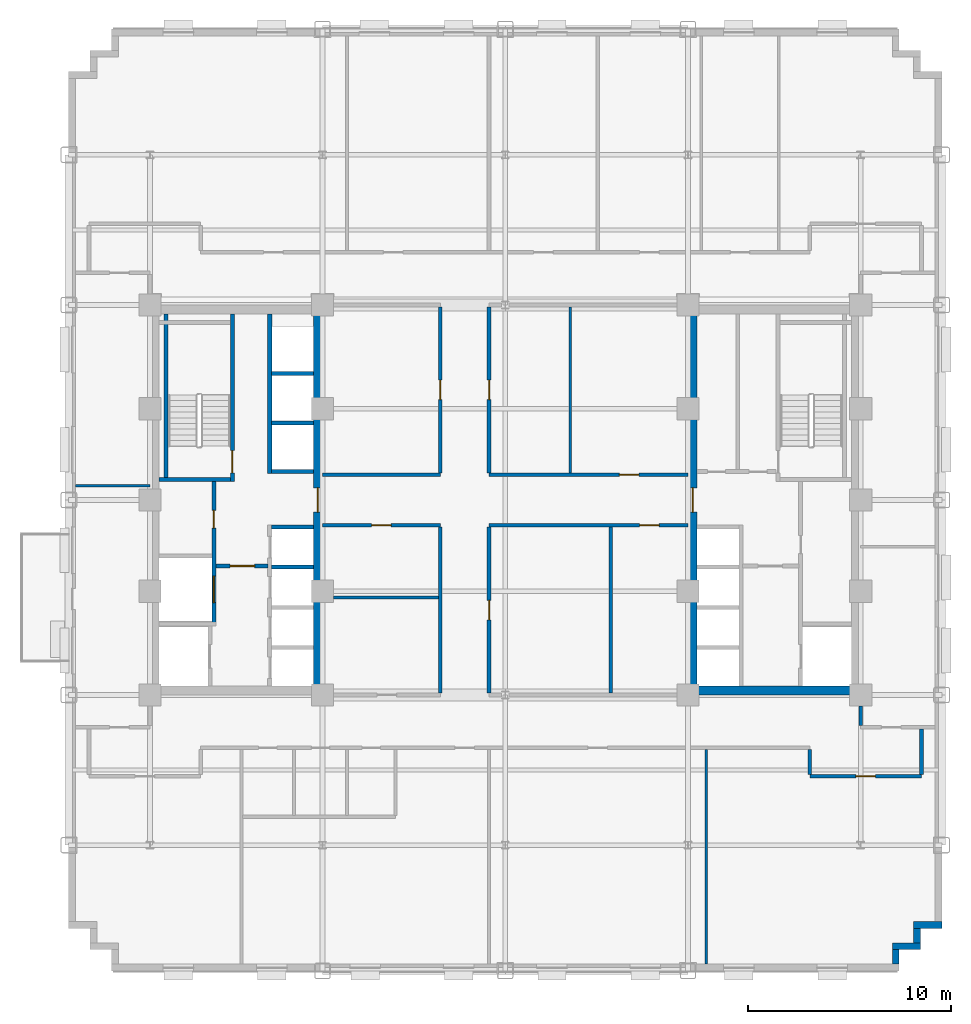
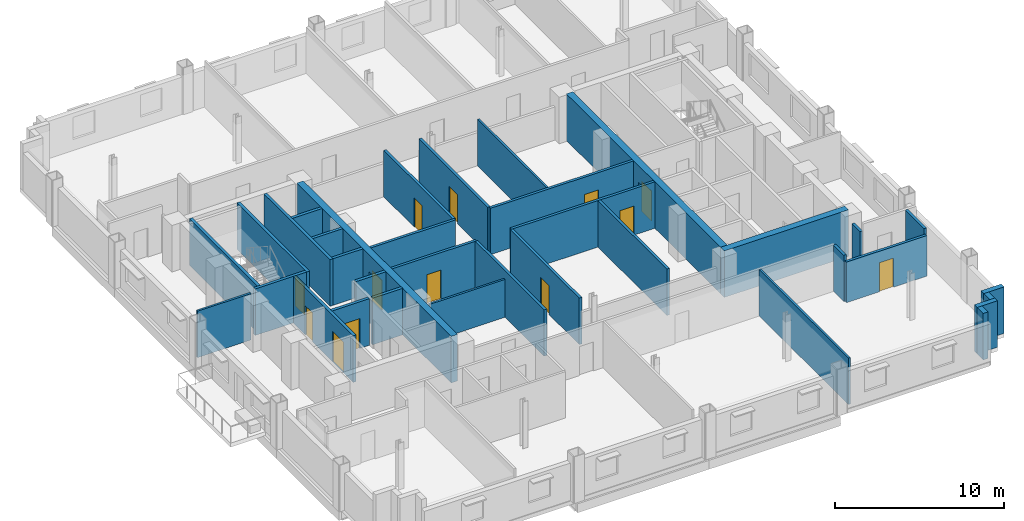
# One storey, part 7 of 13: 35 walls, 13 doors, 13 openings.
"""IFC4 building model written with IfcOpenShell, lengths in metres."""

from ifc_helpers import new_model, si_unit, direction, frame, frame_2d, origin, place, context, subcontext, project, spatial, rectangle, extrude, source, transform, mapped, material, layer, layer_set, type_object, type_shapes, element, fill, save


model = new_model("IFC4")

# Units and contexts
model_context = context("Model", 3, precision=1e-05, world=origin(), true_north=direction((0.0, 1.0)))
body_context = subcontext(model_context, "Body", "Model", "MODEL_VIEW")
ifc_project = project(units=[si_unit("LENGTHUNIT", "METRE"), si_unit("AREAUNIT", "SQUARE_METRE"), si_unit("VOLUMEUNIT", "CUBIC_METRE"), si_unit("PLANEANGLEUNIT", "RADIAN"), si_unit("MASSUNIT", "GRAM", prefix="KILO")], contexts=[model_context])

# Site, building, storey
site_placement = place(None, origin())
site = spatial("IfcSite", under=ifc_project, at=site_placement, CompositionType="ELEMENT")
building_placement = place(site_placement, origin())
building = spatial("IfcBuilding", under=site, at=building_placement, Name="Nuvemarco Arch Tower", CompositionType="ELEMENT")
storey_placement = place(building_placement, frame((0.0, 0.0, 78.699951171875)))
storey = spatial("IfcBuildingStorey", under=building, at=storey_placement, Name="L20", CompositionType="ELEMENT", Elevation=78.699951171875)

# Walls
ifc_material_1 = material(Name="Precast concrete C45/55", Category="concrete")
ifc_layer_1 = layer(ifc_material_1, 0.340087890625, Name="EW-LOW-340")
ifc_layer_set_1 = layer_set([ifc_layer_1], Name="Precast concrete C45/55")
wall_type_1 = type_object("IfcWallType", Name="EW-LOW-340", PredefinedType="STANDARD", material=ifc_layer_set_1)
wall_1_placement = place(storey_placement, frame((19.22998046875, -22.864013671875, 0.0), z_axis=(0.0, 0.0, 1.0), x_axis=(0.0, 1.0, 0.0)))
element("IfcWall", 1, at=wall_1_placement, inside=storey, type_object=wall_type_1, Name="L20 exterior precast facade wall 2", PredefinedType="STANDARD", context=body_context, shape_type="SweptSolid", body=[
    extrude(rectangle(XDim=0.718017578125, YDim=0.340087890625, at=frame_2d((0.35888671875, 0.0))), origin(), (0.0, 0.0, 1.0), 3.360107421875),
])
wall_2_placement = place(storey_placement, frame((19.06005859375, -21.97998046875, 0.0), z_axis=(0.0, 0.0, 1.0), x_axis=(1.0, 0.0, 0.0)))
element("IfcWall", 2, at=wall_2_placement, inside=storey, type_object=wall_type_1, Name="L20 exterior precast facade wall 3", PredefinedType="STANDARD", context=body_context, shape_type="SweptSolid", body=[
    extrude(rectangle(XDim=1.389892578125, YDim=0.340087890625, at=frame_2d((0.69482421875, 0.0))), origin(), (0.0, 0.0, 1.0), 3.360107421875),
])
wall_3_placement = place(storey_placement, frame((20.280029296875, -21.81396484375, 0.0), z_axis=(0.0, 0.0, 1.0), x_axis=(0.0, 1.0, 0.0)))
element("IfcWall", 3, at=wall_3_placement, inside=storey, type_object=wall_type_1, Name="L20 exterior precast facade wall 4", PredefinedType="STANDARD", context=body_context, shape_type="SweptSolid", body=[
    extrude(rectangle(XDim=0.718017578125, YDim=0.340087890625, at=frame_2d((0.35888671875, 0.0))), origin(), (0.0, 0.0, 1.0), 3.360107421875),
])
wall_4_placement = place(storey_placement, frame((20.110107421875, -20.929931640625, 0.0), z_axis=(0.0, 0.0, 1.0), x_axis=(1.0, 0.0, 0.0)))
element("IfcWall", 4, at=wall_4_placement, inside=storey, type_object=wall_type_1, Name="L20 exterior precast facade wall 5", PredefinedType="STANDARD", context=body_context, shape_type="SweptSolid", body=[
    extrude(rectangle(XDim=1.389892578125, YDim=0.340087890625, at=frame_2d((0.69482421875, 0.0))), origin(), (0.0, 0.0, 1.0), 3.360107421875),
])

# Wall, opening, door
ifc_material_2 = material(Name="Concrete C60/75", Category="concrete")
ifc_layer_2 = layer(ifc_material_2, 0.449951171875, Name="WL-CORE-450")
ifc_layer_set_2 = layer_set([ifc_layer_2], Name="Concrete C60/75")
wall_type_2 = type_object("IfcWallType", Name="WL-CORE-450", PredefinedType="SHEAR", material=ifc_layer_set_2)
wall_5_placement = place(storey_placement, frame((-9.22509765625, -9.155029296875, 0.0), z_axis=(0.0, 0.0, 1.0), x_axis=(0.0, 1.0, 0.0)))
wall_5 = element("IfcWall", 5, at=wall_5_placement, inside=storey, type_object=wall_type_2, Name="L20 W-core shear wall E", PredefinedType="SHEAR", context=body_context, shape_type="SweptSolid", body=[
    extrude(rectangle(XDim=18.31005859375, YDim=0.449951171875, at=frame_2d((9.155029296875, 0.0))), origin(), (0.0, 0.0, 1.0), 3.3701171875),
])
opening_1_placement = place(wall_5_placement, frame((8.554931640625, 0.0, 0.0)))
opening_1 = element("IfcOpeningElement", 6, at=opening_1_placement, cuts=wall_5, Name="Opening FD-2", PredefinedType="OPENING", context=body_context, shape_type="SweptSolid", body=[
    extrude(rectangle(XDim=1.199951171875, YDim=2.14990234375, at=frame_2d((0.60009765625, 1.074951171875))), frame((0.0, 0.23486328125, 0.0), z_axis=(0.0, -1.0, 0.0), x_axis=(1.0, 0.0, 0.0)), (0.0, 0.0, 1.0), 0.469970703125),
])
ifc_material_3 = material(Name="Anodised steel fire door", Category="steel")
door_type_1 = type_object("IfcDoorType", Name="DR-FFLOB-FD", OperationType="NOTDEFINED", PredefinedType="DOOR", material=ifc_material_3)
shared_shape_1 = source(origin(), body_context, "Body", "SweptSolid", [
    extrude(rectangle(XDim=1.199951171875, YDim=2.14990234375, at=frame_2d((0.60009765625, 1.074951171875))), frame((0.0, 0.02490234375, 0.0), z_axis=(0.0, -1.0, 0.0), x_axis=(1.0, 0.0, 0.0)), (0.0, 0.0, 1.0), 0.050048828125),
])
type_shapes(door_type_1, [shared_shape_1])
door_1_placement = place(opening_1_placement, origin())
door_1 = element("IfcDoor", 7, at=door_1_placement, inside=storey, type_object=door_type_1, Name="L20 door FD-L20-WCORE-E", OperationType="SINGLE_SWING_LEFT", OverallHeight=2.14990234375, OverallWidth=1.199951171875, PredefinedType="DOOR", context=body_context, shape_type="MappedRepresentation", body=[
    mapped(shared_shape_1, transform((0.0, 0.0, 0.0), scale=1.0)),
])
fill(opening_1, door_1)

# Wall
wall_6_placement = place(storey_placement, frame((9.0, -9.375, 0.0), z_axis=(0.0, 0.0, 1.0), x_axis=(1.0, 0.0, 0.0)))
element("IfcWall", 8, at=wall_6_placement, inside=storey, type_object=wall_type_2, Name="L20 E-core shear wall S", PredefinedType="SHEAR", context=body_context, shape_type="SweptSolid", body=[
    extrude(rectangle(XDim=8.5, YDim=0.449951171875, at=frame_2d((4.25, 0.0))), origin(), (0.0, 0.0, 1.0), 3.3701171875),
])

# Wall, opening, door
wall_7_placement = place(storey_placement, frame((9.22509765625, -9.155029296875, 0.0), z_axis=(0.0, 0.0, 1.0), x_axis=(0.0, 1.0, 0.0)))
wall_7 = element("IfcWall", 9, at=wall_7_placement, inside=storey, type_object=wall_type_2, Name="L20 E-core shear wall W", PredefinedType="SHEAR", context=body_context, shape_type="SweptSolid", body=[
    extrude(rectangle(XDim=18.31005859375, YDim=0.449951171875, at=frame_2d((9.155029296875, 0.0))), origin(), (0.0, 0.0, 1.0), 3.3701171875),
])
opening_2_placement = place(wall_7_placement, frame((8.554931640625, 0.0, 0.0)))
opening_2 = element("IfcOpeningElement", 10, at=opening_2_placement, cuts=wall_7, Name="Opening FD-2", PredefinedType="OPENING", context=body_context, shape_type="SweptSolid", body=[
    extrude(rectangle(XDim=1.199951171875, YDim=2.14990234375, at=frame_2d((0.60009765625, 1.074951171875))), frame((0.0, 0.23486328125, 0.0), z_axis=(0.0, -1.0, 0.0), x_axis=(1.0, 0.0, 0.0)), (0.0, 0.0, 1.0), 0.469970703125),
])
door_2_placement = place(opening_2_placement, origin())
door_2 = element("IfcDoor", 11, at=door_2_placement, inside=storey, type_object=door_type_1, Name="L20 door FD-L20-ECORE-W", OperationType="SINGLE_SWING_RIGHT", OverallHeight=2.14990234375, OverallWidth=1.199951171875, PredefinedType="DOOR", context=body_context, shape_type="MappedRepresentation", body=[
    mapped(shared_shape_1, transform((0.0, 0.0, 0.0), scale=1.0)),
])
fill(opening_2, door_2)

ifc_material_4 = material(Name="Fire-rated gypsum drywall partition")
ifc_layer_3 = layer(ifc_material_4, 0.179931640625, Name="WL-CORR-180")
ifc_layer_set_3 = layer_set([ifc_layer_3], Name="Fire-rated gypsum drywall partition")
wall_type_3 = type_object("IfcWallType", Name="WL-CORR-180", PredefinedType="PARTITIONING", material=ifc_layer_set_3)
wall_8_placement = place(storey_placement, frame((15.0, -13.60009765625, 0.0), z_axis=(0.0, 0.0, 1.0), x_axis=(1.0, 0.0, 0.0)))
wall_8 = element("IfcWall", 12, at=wall_8_placement, inside=storey, type_object=wall_type_3, Name="L20 interior wall IW-L20-003", PredefinedType="PARTITIONING", context=body_context, shape_type="SweptSolid", body=[
    extrude(rectangle(XDim=5.5, YDim=0.179931640625, at=frame_2d((2.75, 0.0))), origin(), (0.0, 0.0, 1.0), 2.942138671875),
])
opening_3_placement = place(wall_8_placement, frame((2.27001953125, 0.0, 0.0)))
opening_3 = element("IfcOpeningElement", 13, at=opening_3_placement, cuts=wall_8, Name="Opening FD-5", PredefinedType="OPENING", context=body_context, shape_type="SweptSolid", body=[
    extrude(rectangle(XDim=0.9599609375, YDim=2.10009765625, at=frame_2d((0.47998046875, 1.050048828125))), frame((0.0, 0.099853515625, 0.0), z_axis=(0.0, -1.0, 0.0), x_axis=(1.0, 0.0, 0.0)), (0.0, 0.0, 1.0), 0.199951171875),
])
ifc_material_5 = material(Name="Timber fire door", Category="wood")
door_type_2 = type_object("IfcDoorType", Name="DR-CORR-FD", OperationType="NOTDEFINED", PredefinedType="DOOR", material=ifc_material_5)
shared_shape_2 = source(origin(), body_context, "Body", "SweptSolid", [
    extrude(rectangle(XDim=0.9599609375, YDim=2.10009765625, at=frame_2d((0.47998046875, 1.050048828125))), frame((0.0, 0.02490234375, 0.0), z_axis=(0.0, -1.0, 0.0), x_axis=(1.0, 0.0, 0.0)), (0.0, 0.0, 1.0), 0.050048828125),
])
type_shapes(door_type_2, [shared_shape_2])
door_3_placement = place(opening_3_placement, origin())
door_3 = element("IfcDoor", 14, at=door_3_placement, inside=storey, type_object=door_type_2, Name="L20 door DR-L20-S_4", OperationType="SINGLE_SWING_RIGHT", OverallHeight=2.10009765625, OverallWidth=0.9599609375, PredefinedType="DOOR", context=body_context, shape_type="MappedRepresentation", body=[
    mapped(shared_shape_2, transform((0.0, 0.0, 0.0), scale=1.0)),
])
fill(opening_3, door_3)

wall_9_placement = place(storey_placement, frame((-9.0, -1.25, 0.0), z_axis=(0.0, 0.0, 1.0), x_axis=(1.0, 0.0, 0.0)))
wall_9 = element("IfcWall", 15, at=wall_9_placement, inside=storey, type_object=wall_type_3, Name="L20 interior wall IW-L20-012", PredefinedType="PARTITIONING", context=body_context, shape_type="SweptSolid", body=[
    extrude(rectangle(XDim=5.800048828125, YDim=0.179931640625, at=frame_2d((2.89990234375, 0.0))), origin(), (0.0, 0.0, 1.0), 3.360107421875),
])
opening_4_placement = place(wall_9_placement, frame((2.419921875, 0.0, 0.0)))
opening_4 = element("IfcOpeningElement", 16, at=opening_4_placement, cuts=wall_9, Name="Opening FD-5", PredefinedType="OPENING", context=body_context, shape_type="SweptSolid", body=[
    extrude(rectangle(XDim=0.9599609375, YDim=2.10009765625, at=frame_2d((0.47998046875, 1.050048828125))), frame((0.0, 0.099853515625, 0.0), z_axis=(0.0, -1.0, 0.0), x_axis=(1.0, 0.0, 0.0)), (0.0, 0.0, 1.0), 0.199951171875),
])
door_4_placement = place(opening_4_placement, origin())
door_4 = element("IfcDoor", 17, at=door_4_placement, inside=storey, type_object=door_type_2, Name="L20 door DR-L20-C_SW1", OperationType="SINGLE_SWING_RIGHT", OverallHeight=2.10009765625, OverallWidth=0.9599609375, PredefinedType="DOOR", context=body_context, shape_type="MappedRepresentation", body=[
    mapped(shared_shape_2, transform((0.0, 0.0, 0.0), scale=1.0)),
])
fill(opening_4, door_4)

wall_10_placement = place(storey_placement, frame((-0.800048828125, -1.25, 0.0), z_axis=(0.0, 0.0, 1.0), x_axis=(1.0, 0.0, 0.0)))
wall_10 = element("IfcWall", 18, at=wall_10_placement, inside=storey, type_object=wall_type_3, Name="L20 interior wall IW-L20-013", PredefinedType="PARTITIONING", context=body_context, shape_type="SweptSolid", body=[
    extrude(rectangle(XDim=9.800048828125, YDim=0.179931640625, at=frame_2d((4.89990234375, 0.0))), origin(), (0.0, 0.0, 1.0), 3.360107421875),
])
opening_5_placement = place(wall_10_placement, frame((7.419921875, 0.0, 0.0)))
opening_5 = element("IfcOpeningElement", 19, at=opening_5_placement, cuts=wall_10, Name="Opening FD-5", PredefinedType="OPENING", context=body_context, shape_type="SweptSolid", body=[
    extrude(rectangle(XDim=0.9599609375, YDim=2.10009765625, at=frame_2d((0.47998046875, 1.050048828125))), frame((0.0, 0.099853515625, 0.0), z_axis=(0.0, -1.0, 0.0), x_axis=(1.0, 0.0, 0.0)), (0.0, 0.0, 1.0), 0.199951171875),
])
door_5_placement = place(opening_5_placement, origin())
door_5 = element("IfcDoor", 20, at=door_5_placement, inside=storey, type_object=door_type_2, Name="L20 door DR-L20-C_SE2", OperationType="SINGLE_SWING_RIGHT", OverallHeight=2.10009765625, OverallWidth=0.9599609375, PredefinedType="DOOR", context=body_context, shape_type="MappedRepresentation", body=[
    mapped(shared_shape_2, transform((0.0, 0.0, 0.0), scale=1.0)),
])
fill(opening_5, door_5)

# Wall
wall_11_placement = place(storey_placement, frame((-9.0, 1.25, 0.0), z_axis=(0.0, 0.0, 1.0), x_axis=(1.0, 0.0, 0.0)))
element("IfcWall", 21, at=wall_11_placement, inside=storey, type_object=wall_type_3, Name="L20 interior wall IW-L20-015", PredefinedType="PARTITIONING", context=body_context, shape_type="SweptSolid", body=[
    extrude(rectangle(XDim=5.800048828125, YDim=0.179931640625, at=frame_2d((2.89990234375, 0.0))), origin(), (0.0, 0.0, 1.0), 3.360107421875),
])

# Wall, opening, door
wall_12_placement = place(storey_placement, frame((-0.800048828125, 1.25, 0.0), z_axis=(0.0, 0.0, 1.0), x_axis=(1.0, 0.0, 0.0)))
wall_12 = element("IfcWall", 22, at=wall_12_placement, inside=storey, type_object=wall_type_3, Name="L20 interior wall IW-L20-016", PredefinedType="PARTITIONING", context=body_context, shape_type="SweptSolid", body=[
    extrude(rectangle(XDim=9.800048828125, YDim=0.179931640625, at=frame_2d((4.89990234375, 0.0))), origin(), (0.0, 0.0, 1.0), 3.360107421875),
])
opening_6_placement = place(wall_12_placement, frame((6.419921875, 0.0, 0.0)))
opening_6 = element("IfcOpeningElement", 23, at=opening_6_placement, cuts=wall_12, Name="Opening FD-5", PredefinedType="OPENING", context=body_context, shape_type="SweptSolid", body=[
    extrude(rectangle(XDim=0.9599609375, YDim=2.10009765625, at=frame_2d((0.47998046875, 1.050048828125))), frame((0.0, 0.099853515625, 0.0), z_axis=(0.0, -1.0, 0.0), x_axis=(1.0, 0.0, 0.0)), (0.0, 0.0, 1.0), 0.199951171875),
])
door_6_placement = place(opening_6_placement, origin())
door_6 = element("IfcDoor", 24, at=door_6_placement, inside=storey, type_object=door_type_2, Name="L20 door DR-L20-C_NE2", OperationType="SINGLE_SWING_LEFT", OverallHeight=2.10009765625, OverallWidth=0.9599609375, PredefinedType="DOOR", context=body_context, shape_type="MappedRepresentation", body=[
    mapped(shared_shape_2, transform((0.0, 0.0, 0.0), scale=1.0)),
])
fill(opening_6, door_6)

# Wall
wall_13_placement = place(storey_placement, frame((-3.199951171875, -9.513916015625, 0.0), z_axis=(0.0, 0.0, 1.0), x_axis=(0.0, 1.0, 0.0)))
element("IfcWall", 25, at=wall_13_placement, inside=storey, type_object=wall_type_3, Name="L20 interior wall IW-L20-036", PredefinedType="PARTITIONING", context=body_context, shape_type="SweptSolid", body=[
    extrude(rectangle(XDim=8.177978515625, YDim=0.179931640625, at=frame_2d((4.0888671875, 0.0))), origin(), (0.0, 0.0, 1.0), 3.360107421875),
])

# Wall, opening, door
wall_14_placement = place(storey_placement, frame((-3.199951171875, 1.3359375, 0.0), z_axis=(0.0, 0.0, 1.0), x_axis=(0.0, 1.0, 0.0)))
wall_14 = element("IfcWall", 26, at=wall_14_placement, inside=storey, type_object=wall_type_3, Name="L20 interior wall IW-L20-037", PredefinedType="PARTITIONING", context=body_context, shape_type="SweptSolid", body=[
    extrude(rectangle(XDim=8.177978515625, YDim=0.179931640625, at=frame_2d((4.0888671875, 0.0))), origin(), (0.0, 0.0, 1.0), 3.360107421875),
])
opening_7_placement = place(wall_14_placement, frame((3.60888671875, 0.0, 0.0)))
opening_7 = element("IfcOpeningElement", 27, at=opening_7_placement, cuts=wall_14, Name="Opening FD-5", PredefinedType="OPENING", context=body_context, shape_type="SweptSolid", body=[
    extrude(rectangle(XDim=0.9599609375, YDim=2.10009765625, at=frame_2d((0.47998046875, 1.050048828125))), frame((0.0, 0.099853515625, 0.0), z_axis=(0.0, -1.0, 0.0), x_axis=(1.0, 0.0, 0.0)), (0.0, 0.0, 1.0), 0.199951171875),
])
door_7_placement = place(opening_7_placement, origin())
door_7 = element("IfcDoor", 28, at=door_7_placement, inside=storey, type_object=door_type_2, Name="L20 door DR-L20-C_NW", OperationType="SINGLE_SWING_RIGHT", OverallHeight=2.10009765625, OverallWidth=0.9599609375, PredefinedType="DOOR", context=body_context, shape_type="MappedRepresentation", body=[
    mapped(shared_shape_2, transform((0.0, 0.0, 0.0), scale=1.0)),
])
fill(opening_7, door_7)

wall_15_placement = place(storey_placement, frame((-0.800048828125, -9.513916015625, 0.0), z_axis=(0.0, 0.0, 1.0), x_axis=(0.0, 1.0, 0.0)))
wall_15 = element("IfcWall", 29, at=wall_15_placement, inside=storey, type_object=wall_type_3, Name="L20 interior wall IW-L20-039", PredefinedType="PARTITIONING", context=body_context, shape_type="SweptSolid", body=[
    extrude(rectangle(XDim=8.177978515625, YDim=0.179931640625, at=frame_2d((4.0888671875, 0.0))), origin(), (0.0, 0.0, 1.0), 3.360107421875),
])
opening_8_placement = place(wall_15_placement, frame((3.60888671875, 0.0, 0.0)))
opening_8 = element("IfcOpeningElement", 30, at=opening_8_placement, cuts=wall_15, Name="Opening FD-5", PredefinedType="OPENING", context=body_context, shape_type="SweptSolid", body=[
    extrude(rectangle(XDim=0.9599609375, YDim=2.10009765625, at=frame_2d((0.47998046875, 1.050048828125))), frame((0.0, 0.099853515625, 0.0), z_axis=(0.0, -1.0, 0.0), x_axis=(1.0, 0.0, 0.0)), (0.0, 0.0, 1.0), 0.199951171875),
])
door_8_placement = place(opening_8_placement, origin())
door_8 = element("IfcDoor", 31, at=door_8_placement, inside=storey, type_object=door_type_2, Name="L20 door DR-L20-C_SE1", OperationType="SINGLE_SWING_RIGHT", OverallHeight=2.10009765625, OverallWidth=0.9599609375, PredefinedType="DOOR", context=body_context, shape_type="MappedRepresentation", body=[
    mapped(shared_shape_2, transform((0.0, 0.0, 0.0), scale=1.0)),
])
fill(opening_8, door_8)

wall_16_placement = place(storey_placement, frame((-0.800048828125, 1.3359375, 0.0), z_axis=(0.0, 0.0, 1.0), x_axis=(0.0, 1.0, 0.0)))
wall_16 = element("IfcWall", 32, at=wall_16_placement, inside=storey, type_object=wall_type_3, Name="L20 interior wall IW-L20-040", PredefinedType="PARTITIONING", context=body_context, shape_type="SweptSolid", body=[
    extrude(rectangle(XDim=8.177978515625, YDim=0.179931640625, at=frame_2d((4.0888671875, 0.0))), origin(), (0.0, 0.0, 1.0), 3.360107421875),
])
opening_9_placement = place(wall_16_placement, frame((3.60888671875, 0.0, 0.0)))
opening_9 = element("IfcOpeningElement", 33, at=opening_9_placement, cuts=wall_16, Name="Opening FD-5", PredefinedType="OPENING", context=body_context, shape_type="SweptSolid", body=[
    extrude(rectangle(XDim=0.9599609375, YDim=2.10009765625, at=frame_2d((0.47998046875, 1.050048828125))), frame((0.0, 0.099853515625, 0.0), z_axis=(0.0, -1.0, 0.0), x_axis=(1.0, 0.0, 0.0)), (0.0, 0.0, 1.0), 0.199951171875),
])
door_9_placement = place(opening_9_placement, origin())
door_9 = element("IfcDoor", 34, at=door_9_placement, inside=storey, type_object=door_type_2, Name="L20 door DR-L20-C_NE1", OperationType="SINGLE_SWING_LEFT", OverallHeight=2.10009765625, OverallWidth=0.9599609375, PredefinedType="DOOR", context=body_context, shape_type="MappedRepresentation", body=[
    mapped(shared_shape_2, transform((0.0, 0.0, 0.0), scale=1.0)),
])
fill(opening_9, door_9)

# Walls
wall_17_placement = place(storey_placement, frame((5.199951171875, -9.513916015625, 0.0), z_axis=(0.0, 0.0, 1.0), x_axis=(0.0, 1.0, 0.0)))
element("IfcWall", 35, at=wall_17_placement, inside=storey, type_object=wall_type_3, Name="L20 interior wall IW-L20-044", PredefinedType="PARTITIONING", context=body_context, shape_type="SweptSolid", body=[
    extrude(rectangle(XDim=8.177978515625, YDim=0.179931640625, at=frame_2d((4.0888671875, 0.0))), origin(), (0.0, 0.0, 1.0), 3.360107421875),
])
wall_18_placement = place(storey_placement, frame((15.0, -13.513916015625, 0.0), z_axis=(0.0, 0.0, 1.0), x_axis=(0.0, 1.0, 0.0)))
element("IfcWall", 36, at=wall_18_placement, inside=storey, type_object=wall_type_3, Name="L20 interior wall IW-L20-048", PredefinedType="PARTITIONING", context=body_context, shape_type="SweptSolid", body=[
    extrude(rectangle(XDim=1.22802734375, YDim=0.179931640625, at=frame_2d((0.614013671875, 0.0))), origin(), (0.0, 0.0, 1.0), 3.360107421875),
])
wall_19_placement = place(storey_placement, frame((17.5, -11.114013671875, 0.0), z_axis=(0.0, 0.0, 1.0), x_axis=(0.0, 1.0, 0.0)))
element("IfcWall", 37, at=wall_19_placement, inside=storey, type_object=wall_type_3, Name="L20 interior wall IW-L20-050", PredefinedType="PARTITIONING", context=body_context, shape_type="SweptSolid", body=[
    extrude(rectangle(XDim=0.968017578125, YDim=0.179931640625, at=frame_2d((0.48388671875, 0.0))), origin(), (0.0, 0.0, 1.0), 2.738037109375),
])
wall_20_placement = place(storey_placement, frame((20.5, -13.513916015625, 0.0), z_axis=(0.0, 0.0, 1.0), x_axis=(0.0, 1.0, 0.0)))
element("IfcWall", 38, at=wall_20_placement, inside=storey, type_object=wall_type_3, Name="L20 interior wall IW-L20-052", PredefinedType="PARTITIONING", context=body_context, shape_type="SweptSolid", body=[
    extrude(rectangle(XDim=2.22802734375, YDim=0.179931640625, at=frame_2d((1.114013671875, 0.0))), origin(), (0.0, 0.0, 1.0), 3.360107421875),
])
ifc_material_6 = material(Name="Gypsum plasterboard partition")
ifc_layer_4 = layer(ifc_material_6, 0.139892578125, Name="WL-ROOM-140")
ifc_layer_set_4 = layer_set([ifc_layer_4], Name="Gypsum plasterboard partition")
wall_type_4 = type_object("IfcWallType", Name="WL-ROOM-140", PredefinedType="PARTITIONING", material=ifc_layer_set_4)
wall_21_placement = place(storey_placement, frame((-8.4541015625, -4.800048828125, 0.0), z_axis=(0.0, 0.0, 1.0), x_axis=(1.0, 0.0, 0.0)))
element("IfcWall", 39, at=wall_21_placement, inside=storey, type_object=wall_type_4, Name="L20 interior wall IW-L20-010", PredefinedType="PARTITIONING", context=body_context, shape_type="SweptSolid", body=[
    extrude(rectangle(XDim=5.168212890625, YDim=0.139892578125, at=frame_2d((2.583984375, 0.0))), origin(), (0.0, 0.0, 1.0), 2.738037109375),
])
wall_22_placement = place(storey_placement, frame((-21.159912109375, 0.699951171875, 0.0), z_axis=(0.0, 0.0, 1.0), x_axis=(1.0, 0.0, 0.0)))
element("IfcWall", 40, at=wall_22_placement, inside=storey, type_object=wall_type_4, Name="L20 interior wall IW-L20-014", PredefinedType="PARTITIONING", context=body_context, shape_type="SweptSolid", body=[
    extrude(rectangle(XDim=3.659912109375, YDim=0.139892578125, at=frame_2d((1.830078125, 0.0))), origin(), (0.0, 0.0, 1.0), 3.360107421875),
])
wall_23_placement = place(storey_placement, frame((3.199951171875, 1.3359375, 0.0), z_axis=(0.0, 0.0, 1.0), x_axis=(0.0, 1.0, 0.0)))
element("IfcWall", 41, at=wall_23_placement, inside=storey, type_object=wall_type_4, Name="L20 interior wall IW-L20-042", PredefinedType="PARTITIONING", context=body_context, shape_type="SweptSolid", body=[
    extrude(rectangle(XDim=8.177978515625, YDim=0.139892578125, at=frame_2d((4.0888671875, 0.0))), origin(), (0.0, 0.0, 1.0), 3.360107421875),
])
wall_24_placement = place(storey_placement, frame((9.89990234375, -22.860107421875, 0.0), z_axis=(0.0, 0.0, 1.0), x_axis=(0.0, 1.0, 0.0)))
element("IfcWall", 42, at=wall_24_placement, inside=storey, type_object=wall_type_4, Name="L20 interior wall IW-L20-046", PredefinedType="PARTITIONING", context=body_context, shape_type="SweptSolid", body=[
    extrude(rectangle(XDim=10.57421875, YDim=0.139892578125, at=frame_2d((5.287109375, 0.0))), origin(), (0.0, 0.0, 1.0), 3.360107421875),
])

# Wall, opening, door
ifc_material_7 = material(Name="Concrete C50/60", Category="concrete")
ifc_layer_5 = layer(ifc_material_7, 0.199951171875, Name="WL-SHAFT-220")
ifc_layer_set_5 = layer_set([ifc_layer_5], Name="Concrete C50/60")
wall_type_5 = type_object("IfcWallType", Name="WL-SHAFT-220", PredefinedType="SHEAR", material=ifc_layer_set_5)
wall_25_placement = place(storey_placement, frame((-13.43994140625, 0.89990234375, 0.0), z_axis=(0.0, 0.0, 1.0), x_axis=(0.0, 1.0, 0.0)))
wall_25 = element("IfcWall", 43, at=wall_25_placement, inside=storey, type_object=wall_type_5, Name="L20 structural shaft wall SW-L20-W-ST1E", PredefinedType="SHEAR", context=body_context, shape_type="SweptSolid", body=[
    extrude(rectangle(XDim=8.255126953125, YDim=0.199951171875, at=frame_2d((4.12744140625, 0.0))), origin(), (0.0, 0.0, 1.0), 3.3701171875),
])
opening_10_placement = place(wall_25_placement, frame((1.530029296875, 0.0, 0.0), z_axis=(0.0, 0.0, 1.0), x_axis=(-1.0, 0.0, 0.0)))
opening_10 = element("IfcOpeningElement", 44, at=opening_10_placement, cuts=wall_25, Name="Opening FD-1", PredefinedType="OPENING", context=body_context, shape_type="SweptSolid", body=[
    extrude(rectangle(XDim=1.10009765625, YDim=2.14990234375, at=frame_2d((0.550048828125, 1.074951171875))), frame((0.0, 0.10986328125, 0.0), z_axis=(0.0, -1.0, 0.0), x_axis=(1.0, 0.0, 0.0)), (0.0, 0.0, 1.0), 0.219970703125),
])
door_type_3 = type_object("IfcDoorType", Name="DR-STAIR-FD", OperationType="NOTDEFINED", PredefinedType="DOOR", material=ifc_material_3)
shared_shape_3 = source(origin(), body_context, "Body", "SweptSolid", [
    extrude(rectangle(XDim=1.10009765625, YDim=2.14990234375, at=frame_2d((0.550048828125, 1.074951171875))), frame((0.0, 0.02490234375, 0.0), z_axis=(0.0, -1.0, 0.0), x_axis=(1.0, 0.0, 0.0)), (0.0, 0.0, 1.0), 0.050048828125),
])
type_shapes(door_type_3, [shared_shape_3])
door_10_placement = place(opening_10_placement, origin())
door_10 = element("IfcDoor", 45, at=door_10_placement, inside=storey, type_object=door_type_3, Name="L20 door FD-L20-ST1", OperationType="SINGLE_SWING_LEFT", OverallHeight=2.14990234375, OverallWidth=1.10009765625, PredefinedType="DOOR", context=body_context, shape_type="MappedRepresentation", body=[
    mapped(shared_shape_3, transform((0.0, 0.0, 0.0), scale=1.0)),
])
fill(opening_10, door_10)

# Walls
wall_26_placement = place(storey_placement, frame((-17.054931640625, 1.0, 0.0), z_axis=(0.0, 0.0, 1.0), x_axis=(1.0, 0.0, 0.0)))
element("IfcWall", 46, at=wall_26_placement, inside=storey, type_object=wall_type_5, Name="L20 structural shaft wall SW-L20-W-ST1S", PredefinedType="SHEAR", context=body_context, shape_type="SweptSolid", body=[
    extrude(rectangle(XDim=3.52001953125, YDim=0.199951171875, at=frame_2d((1.760009765625, 0.0))), origin(), (0.0, 0.0, 1.0), 3.3701171875),
])
wall_27_placement = place(storey_placement, frame((-16.699951171875, 1.094970703125, 0.0), z_axis=(0.0, 0.0, 1.0), x_axis=(0.0, 1.0, 0.0)))
element("IfcWall", 47, at=wall_27_placement, inside=storey, type_object=wall_type_5, Name="L20 structural shaft wall SW-L20-W-ST1W", PredefinedType="SHEAR", context=body_context, shape_type="SweptSolid", body=[
    extrude(rectangle(XDim=8.06005859375, YDim=0.199951171875, at=frame_2d((4.030029296875, 0.0))), origin(), (0.0, 0.0, 1.0), 3.3701171875),
])

# Wall, openings, doors
wall_28_placement = place(storey_placement, frame((-14.35009765625, -6.199951171875, 0.0), z_axis=(0.0, 0.0, 1.0), x_axis=(0.0, 1.0, 0.0)))
wall_28 = element("IfcWall", 48, at=wall_28_placement, inside=storey, type_object=wall_type_5, Name="L20 structural shaft wall SW-L20-W-SVE", PredefinedType="SHEAR", context=body_context, shape_type="SweptSolid", body=[
    extrude(rectangle(XDim=7.10498046875, YDim=0.199951171875, at=frame_2d((3.552490234375, 0.0))), origin(), (0.0, 0.0, 1.0), 3.3701171875),
])
opening_11_placement = place(wall_28_placement, frame((5.68994140625, 0.0, 0.0), z_axis=(0.0, 0.0, 1.0), x_axis=(-1.0, 0.0, 0.0)))
opening_11 = element("IfcOpeningElement", 49, at=opening_11_placement, cuts=wall_28, Name="Opening FD-4", PredefinedType="OPENING", context=body_context, shape_type="SweptSolid", body=[
    extrude(rectangle(XDim=0.8798828125, YDim=2.10009765625, at=frame_2d((0.43994140625, 1.050048828125))), frame((0.0, 0.10986328125, 0.0), z_axis=(0.0, -1.0, 0.0), x_axis=(1.0, 0.0, 0.0)), (0.0, 0.0, 1.0), 0.219970703125),
])
opening_12_placement = place(wall_28_placement, frame((1.14990234375, 0.0, 0.0)))
opening_12 = element("IfcOpeningElement", 50, at=opening_12_placement, cuts=wall_28, Name="Opening LD-3", PredefinedType="OPENING", context=body_context, shape_type="SweptSolid", body=[
    extrude(rectangle(XDim=1.300048828125, YDim=2.199951171875, at=frame_2d((0.64990234375, 1.10009765625))), frame((0.0, 0.10986328125, 0.0), z_axis=(0.0, -1.0, 0.0), x_axis=(1.0, 0.0, 0.0)), (0.0, 0.0, 1.0), 0.219970703125),
])
door_type_4 = type_object("IfcDoorType", Name="DR-RISER-FD", OperationType="NOTDEFINED", PredefinedType="DOOR", material=ifc_material_3)
shared_shape_4 = source(origin(), body_context, "Body", "SweptSolid", [
    extrude(rectangle(XDim=0.8798828125, YDim=2.10009765625, at=frame_2d((0.43994140625, 1.050048828125))), frame((0.0, 0.02490234375, 0.0), z_axis=(0.0, -1.0, 0.0), x_axis=(1.0, 0.0, 0.0)), (0.0, 0.0, 1.0), 0.050048828125),
])
type_shapes(door_type_4, [shared_shape_4])
door_11_placement = place(opening_11_placement, origin())
door_11 = element("IfcDoor", 51, at=door_11_placement, inside=storey, type_object=door_type_4, Name="L20 door FD-L20-WRIS", OperationType="SINGLE_SWING_LEFT", OverallHeight=2.10009765625, OverallWidth=0.8798828125, PredefinedType="DOOR", context=body_context, shape_type="MappedRepresentation", body=[
    mapped(shared_shape_4, transform((0.0, 0.0, 0.0), scale=1.0)),
])
fill(opening_11, door_11)
ifc_material_8 = material(Name="Stainless steel lift door", Category="steel")
door_type_5 = type_object("IfcDoorType", Name="DR-LIFT-SERV", OperationType="DOUBLE_DOOR_SLIDING", PredefinedType="DOOR", material=ifc_material_8)
shared_shape_5 = source(origin(), body_context, "Body", "SweptSolid", [
    extrude(rectangle(XDim=1.300048828125, YDim=2.199951171875, at=frame_2d((0.64990234375, 1.10009765625))), frame((0.0, 0.02490234375, 0.0), z_axis=(0.0, -1.0, 0.0), x_axis=(1.0, 0.0, 0.0)), (0.0, 0.0, 1.0), 0.050048828125),
])
type_shapes(door_type_5, [shared_shape_5])
door_12_placement = place(opening_12_placement, origin())
door_12 = element("IfcDoor", 52, at=door_12_placement, inside=storey, type_object=door_type_5, Name="L20 Lift landing sliding door SVL-1", OperationType="DOUBLE_DOOR_SLIDING", OverallHeight=2.199951171875, OverallWidth=1.300048828125, PredefinedType="DOOR", context=body_context, shape_type="MappedRepresentation", body=[
    mapped(shared_shape_5, transform((0.0, 0.0, 0.0), scale=1.0)),
])
fill(opening_12, door_12)

# Wall, opening, door
wall_29_placement = place(storey_placement, frame((-14.2548828125, -3.25, 0.0), z_axis=(0.0, 0.0, 1.0), x_axis=(1.0, 0.0, 0.0)))
wall_29 = element("IfcWall", 53, at=wall_29_placement, inside=storey, type_object=wall_type_5, Name="L20 structural shaft wall SW-L20-W-FFN", PredefinedType="SHEAR", context=body_context, shape_type="SweptSolid", body=[
    extrude(rectangle(XDim=2.559814453125, YDim=0.199951171875, at=frame_2d((1.27978515625, 0.0))), origin(), (0.0, 0.0, 1.0), 3.3701171875),
])
opening_13_placement = place(wall_29_placement, frame((0.705078125, 0.0, 0.0)))
opening_13 = element("IfcOpeningElement", 54, at=opening_13_placement, cuts=wall_29, Name="Opening FD-2", PredefinedType="OPENING", context=body_context, shape_type="SweptSolid", body=[
    extrude(rectangle(XDim=1.199951171875, YDim=2.14990234375, at=frame_2d((0.60009765625, 1.074951171875))), frame((0.0, 0.10986328125, 0.0), z_axis=(0.0, -1.0, 0.0), x_axis=(1.0, 0.0, 0.0)), (0.0, 0.0, 1.0), 0.219970703125),
])
door_13_placement = place(opening_13_placement, origin())
door_13 = element("IfcDoor", 55, at=door_13_placement, inside=storey, type_object=door_type_1, Name="L20 door FD-L20-WFF1", OperationType="SINGLE_SWING_LEFT", OverallHeight=2.14990234375, OverallWidth=1.199951171875, PredefinedType="DOOR", context=body_context, shape_type="MappedRepresentation", body=[
    mapped(shared_shape_1, transform((0.0, 0.0, 0.0), scale=1.0)),
])
fill(opening_13, door_13)

# Walls
for number, where, z_axis, x_axis, name in (
    (56, (-11.5048828125, -3.31005859375, 0.0), (0.0, 0.0, 1.0), (1.0, 0.0, 0.0), "L20 structural shaft wall SW-L20-W-PLD3"),
    (57, (-11.5048828125, -1.330078125, 0.0), (0.0, 0.0, 1.0), (1.0, 0.0, 0.0), "L20 structural shaft wall SW-L20-W-PLD4"),
):
    element("IfcWall", number, at=place(storey_placement, frame(where, z_axis=z_axis, x_axis=x_axis)), inside=storey, type_object=wall_type_5, Name=name, PredefinedType="SHEAR", context=body_context, shape_type="SweptSolid", body=[
        extrude(rectangle(XDim=2.059814453125, YDim=0.199951171875, at=frame_2d((1.02978515625, 0.0))), origin(), (0.0, 0.0, 1.0), 3.3701171875),
    ])
wall_30_placement = place(storey_placement, frame((-11.60009765625, 1.300048828125, 0.0), z_axis=(0.0, 0.0, 1.0), x_axis=(0.0, 1.0, 0.0)))
element("IfcWall", 58, at=wall_30_placement, inside=storey, type_object=wall_type_5, Name="L20 structural shaft wall SW-L20-W-PHW", PredefinedType="SHEAR", context=body_context, shape_type="SweptSolid", body=[
    extrude(rectangle(XDim=7.85498046875, YDim=0.199951171875, at=frame_2d((3.927490234375, 0.0))), origin(), (0.0, 0.0, 1.0), 3.3701171875),
])
for number, where, z_axis, x_axis, name in (
    (59, (-11.5048828125, 1.39990234375, 0.0), (0.0, 0.0, 1.0), (1.0, 0.0, 0.0), "L20 structural shaft wall SW-L20-W-PHD1"),
    (60, (-11.5048828125, 3.800048828125, 0.0), (0.0, 0.0, 1.0), (1.0, 0.0, 0.0), "L20 structural shaft wall SW-L20-W-PHD2"),
    (61, (-11.5048828125, 6.219970703125, 0.0), (0.0, 0.0, 1.0), (1.0, 0.0, 0.0), "L20 structural shaft wall SW-L20-W-PHD3"),
):
    element("IfcWall", number, at=place(storey_placement, frame(where, z_axis=z_axis, x_axis=x_axis)), inside=storey, type_object=wall_type_5, Name=name, PredefinedType="SHEAR", context=body_context, shape_type="SweptSolid", body=[
        extrude(rectangle(XDim=2.059814453125, YDim=0.199951171875, at=frame_2d((1.02978515625, 0.0))), origin(), (0.0, 0.0, 1.0), 3.3701171875),
    ])

save(model, "model.ifc")
